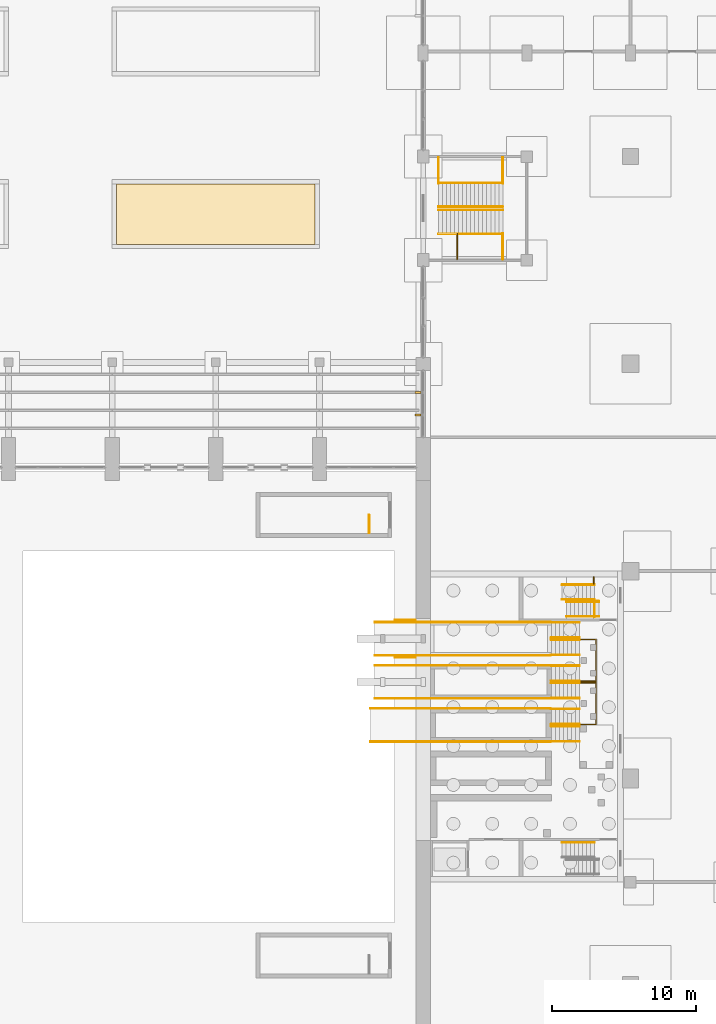
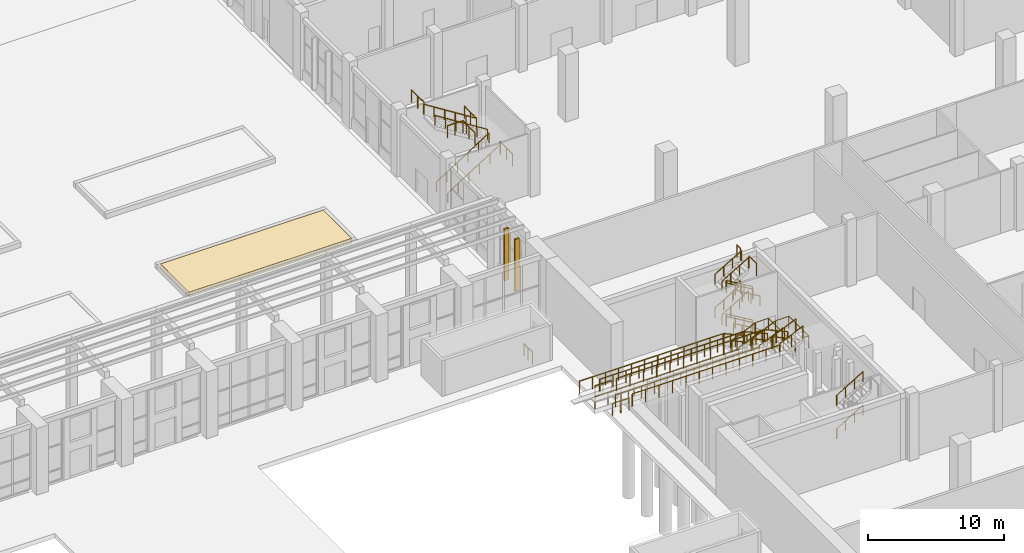
# One storey, part 67 of 70: 46 railings, 4 coverings.
"""IFC4 building model written with IfcOpenShell, lengths in metres."""

from ifc_helpers import new_model, si_unit, direction, frame, frame_2d, origin, origin_2d, place, context, subcontext, project, spatial, polyline, rectangle, circle, outline, extrude, material, layer, layer_set, type_object, element, save


model = new_model("IFC4")

# Units and contexts
model_context = context("Model", 3, precision=1e-05, world=origin(), true_north=direction((0.0, 1.0)))
body_context = subcontext(model_context, "Body", "Model", "MODEL_VIEW")
ifc_project = project(units=[si_unit("LENGTHUNIT", "METRE"), si_unit("AREAUNIT", "SQUARE_METRE"), si_unit("VOLUMEUNIT", "CUBIC_METRE"), si_unit("PLANEANGLEUNIT", "RADIAN"), si_unit("MASSUNIT", "GRAM", prefix="KILO")], contexts=[model_context])

# Site, building, storey
site_placement = place(None, origin())
site = spatial("IfcSite", under=ifc_project, at=site_placement, CompositionType="ELEMENT")
building_placement = place(site_placement, origin())
building = spatial("IfcBuilding", under=site, at=building_placement, Name="Vermilion Court Aquatics Centre", CompositionType="ELEMENT")
storey_placement = place(building_placement, origin())
storey = spatial("IfcBuildingStorey", under=building, at=storey_placement, Name="L00", CompositionType="ELEMENT", Elevation=0.0)

# Coverings
ifc_material_1 = material(Name="Planting soil", Category="soil")
ifc_layer_1 = layer(ifc_material_1, 0.39990234375)
ifc_layer_set_1 = layer_set([ifc_layer_1], Name="Court planting bed soil")
covering_type_1 = type_object("IfcCoveringType", Name="Court planting bed soil", PredefinedType="FLOORING", material=ifc_layer_set_1)
covering_1_placement = place(storey_placement, origin())
element("IfcCovering", 1, at=covering_1_placement, inside=storey, type_object=covering_type_1, Name="Court planting bed soil 4", PredefinedType="FLOORING", context=body_context, shape_type="SweptSolid", body=[
    extrude(outline(polyline([(122.699951171875, 80.300048828125), (136.5, 80.300048828125), (136.5, 84.5), (122.699951171875, 84.5), (122.699951171875, 80.300048828125)])), origin(), (0.0, 0.0, 1.0), 0.39990234375),
])
ifc_material_2 = material(Name="Planting turf", Category="soil")
ifc_layer_2 = layer(ifc_material_2, 0.030029296875)
ifc_layer_set_2 = layer_set([ifc_layer_2], Name="Court planting bed turf")
covering_type_2 = type_object("IfcCoveringType", Name="Court planting bed turf", PredefinedType="FLOORING", material=ifc_layer_set_2)
covering_2_placement = place(storey_placement, frame((0.0, 0.0, 0.39990234375)))
element("IfcCovering", 2, at=covering_2_placement, inside=storey, type_object=covering_type_2, Name="Court planting bed turf 4", PredefinedType="FLOORING", context=body_context, shape_type="SweptSolid", body=[
    extrude(outline(polyline([(122.699951171875, 80.300048828125), (136.5, 80.300048828125), (136.5, 84.5), (122.699951171875, 84.5), (122.699951171875, 80.300048828125)])), origin(), (0.0, 0.0, 1.0), 0.030029296875),
])

# Railings
ifc_material_3 = material(Name="Steel ASTM A992 Grade 50", Category="steel")
railing_type_1 = type_object("IfcRailingType", Name="Diving Tower stair guard 1100", PredefinedType="GUARDRAIL", material=ifc_material_3)
for number, where, name in (
    (3, (156.199951171875, 55.5048828125, 0.166748046875), "Stair 2 guard well L00"),
    (4, (156.199951171875, 55.5048828125, 3.166748046875), "Stair 2 guard well L00"),
):
    element("IfcRailing", number, at=place(storey_placement, frame(where)), inside=storey, type_object=railing_type_1, Name=name, PredefinedType="GUARDRAIL", context=body_context, shape_type="SweptSolid", body=[
        extrude(circle(Radius=0.02392578125, at=origin_2d()), frame((0.0, 0.0, 1.076171875), z_axis=(-0.859305625298, 0.0, 0.511462454469), x_axis=(0.0, -1.0, 0.0)), (0.0, 0.0, 1.0), 2.606689453125),
        extrude(circle(Radius=0.02099609375, at=origin_2d()), origin(), (0.0, 0.0, 1.0), 1.052001953125),
        extrude(circle(Radius=0.02099609375, at=origin_2d()), frame((-0.74658203125, 0.0, 0.4443359375)), (0.0, 0.0, 1.0), 1.052001953125),
        extrude(circle(Radius=0.02099609375, at=origin_2d()), frame((-1.493408203125, 0.0, 0.888916015625)), (0.0, 0.0, 1.0), 1.052001953125),
        extrude(circle(Radius=0.02099609375, at=origin_2d()), frame((-2.239990234375, 0.0, 1.333251953125)), (0.0, 0.0, 1.0), 1.052001953125),
    ])
railing_1_placement = place(storey_placement, frame((155.85009765625, 56.699951171875, 6.0)))
element("IfcRailing", 5, at=railing_1_placement, inside=storey, type_object=railing_type_1, Name="Stair 2 floor edge guard slot L00", PredefinedType="GUARDRAIL", context=body_context, shape_type="SweptSolid", body=[
    extrude(circle(Radius=0.02392578125, at=origin_2d()), frame((0.0, 0.0, 1.076171875), z_axis=(0.0, 1.0, 0.0), x_axis=(-1.0, 0.0, 0.0)), (0.0, 0.0, 1.0), 0.5),
    extrude(circle(Radius=0.02099609375, at=origin_2d()), origin(), (0.0, 0.0, 1.0), 1.052001953125),
    extrude(circle(Radius=0.02099609375, at=origin_2d()), frame((0.0, 0.5, 0.0)), (0.0, 0.0, 1.0), 1.052001953125),
])
railing_2_placement = place(storey_placement, frame((155.89990234375, 55.5, 6.0)))
element("IfcRailing", 6, at=railing_2_placement, inside=storey, type_object=railing_type_1, Name="Stair 2 floor edge guard L00", PredefinedType="GUARDRAIL", context=body_context, shape_type="SweptSolid", body=[
    extrude(circle(Radius=0.02392578125, at=origin_2d()), frame((0.0, 0.0, 1.076171875), z_axis=(0.0, -1.0, 0.0), x_axis=(1.0, 0.0, 0.0)), (0.0, 0.0, 1.0), 1.070068359375),
    extrude(circle(Radius=0.02099609375, at=origin_2d()), origin(), (0.0, 0.0, 1.0), 1.052001953125),
    extrude(circle(Radius=0.02099609375, at=origin_2d()), frame((0.0, -1.070068359375, 0.0)), (0.0, 0.0, 1.0), 1.052001953125),
])
railing_3_placement = place(storey_placement, frame((155.85009765625, 56.699951171875, 3.0)))
element("IfcRailing", 7, at=railing_3_placement, inside=storey, type_object=railing_type_1, Name="Stair 2 guard landing slot 1 L00", PredefinedType="GUARDRAIL", context=body_context, shape_type="SweptSolid", body=[
    extrude(circle(Radius=0.02392578125, at=origin_2d()), frame((0.0, 0.0, 1.076171875), z_axis=(0.0, 1.0, 0.0), x_axis=(-1.0, 0.0, 0.0)), (0.0, 0.0, 1.0), 0.5),
    extrude(circle(Radius=0.02099609375, at=origin_2d()), origin(), (0.0, 0.0, 1.0), 1.052001953125),
    extrude(circle(Radius=0.02099609375, at=origin_2d()), frame((0.0, 0.5, 0.0)), (0.0, 0.0, 1.0), 1.052001953125),
])
ifc_material_4 = material(Name="Steel ASTM A992 Grade 50", Category="steel")
railing_type_2 = type_object("IfcRailingType", Name="Diving Tower stair handrail 900", PredefinedType="HANDRAIL", material=ifc_material_4)
for number, where, name in (
    (8, (153.659912109375, 38.75, 1.666748046875), "Stair 1 handrail wall L00"),
    (9, (153.659912109375, 38.75, 4.666748046875), "Stair 1 handrail wall L00"),
):
    element("IfcRailing", number, at=place(storey_placement, frame(where)), inside=storey, type_object=railing_type_2, Name=name, PredefinedType="HANDRAIL", context=body_context, shape_type="SweptSolid", body=[
        extrude(circle(Radius=0.02392578125, at=origin_2d()), frame((0.0, 0.0, 0.8759765625), z_axis=(0.859305625298, 0.0, 0.511462454469), x_axis=(0.0, 1.0, 0.0)), (0.0, 0.0, 1.0), 2.606689453125),
        extrude(circle(Radius=0.02099609375, at=origin_2d()), origin(), (0.0, 0.0, 1.0), 0.851806640625),
        extrude(circle(Radius=0.02099609375, at=origin_2d()), frame((0.74658203125, 0.0, 0.4443359375)), (0.0, 0.0, 1.0), 0.851806640625),
        extrude(circle(Radius=0.02099609375, at=origin_2d()), frame((1.493408203125, 0.0, 0.888916015625)), (0.0, 0.0, 1.0), 0.851806640625),
        extrude(circle(Radius=0.02099609375, at=origin_2d()), frame((2.239990234375, 0.0, 1.333251953125)), (0.0, 0.0, 1.0), 0.851806640625),
    ])
for number, where, name in (
    (10, (156.199951171875, 54.449951171875, 0.166748046875), "Stair 2 handrail wall L00"),
    (11, (156.199951171875, 55.455078125, 0.166748046875), "Stair 2 handrail well L00"),
):
    element("IfcRailing", number, at=place(storey_placement, frame(where)), inside=storey, type_object=railing_type_2, Name=name, PredefinedType="HANDRAIL", context=body_context, shape_type="SweptSolid", body=[
        extrude(circle(Radius=0.02392578125, at=origin_2d()), frame((0.0, 0.0, 0.8759765625), z_axis=(-0.859305625298, 0.0, 0.511462454469), x_axis=(0.0, -1.0, 0.0)), (0.0, 0.0, 1.0), 2.606689453125),
        extrude(circle(Radius=0.02099609375, at=origin_2d()), origin(), (0.0, 0.0, 1.0), 0.851806640625),
        extrude(circle(Radius=0.02099609375, at=origin_2d()), frame((-0.74658203125, 0.0, 0.4443359375)), (0.0, 0.0, 1.0), 0.851806640625),
        extrude(circle(Radius=0.02099609375, at=origin_2d()), frame((-1.493408203125, 0.0, 0.888916015625)), (0.0, 0.0, 1.0), 0.851806640625),
        extrude(circle(Radius=0.02099609375, at=origin_2d()), frame((-2.239990234375, 0.0, 1.333251953125)), (0.0, 0.0, 1.0), 0.851806640625),
    ])
for number, where, name in (
    (12, (153.659912109375, 56.64990234375, 1.666748046875), "Stair 2 handrail wall L00"),
    (13, (153.659912109375, 55.6201171875, 1.666748046875), "Stair 2 handrail well L00"),
):
    element("IfcRailing", number, at=place(storey_placement, frame(where)), inside=storey, type_object=railing_type_2, Name=name, PredefinedType="HANDRAIL", context=body_context, shape_type="SweptSolid", body=[
        extrude(circle(Radius=0.02392578125, at=origin_2d()), frame((0.0, 0.0, 0.8759765625), z_axis=(0.859305625298, 0.0, 0.511462454469), x_axis=(0.0, 1.0, 0.0)), (0.0, 0.0, 1.0), 2.606689453125),
        extrude(circle(Radius=0.02099609375, at=origin_2d()), origin(), (0.0, 0.0, 1.0), 0.851806640625),
        extrude(circle(Radius=0.02099609375, at=origin_2d()), frame((0.74658203125, 0.0, 0.4443359375)), (0.0, 0.0, 1.0), 0.851806640625),
        extrude(circle(Radius=0.02099609375, at=origin_2d()), frame((1.493408203125, 0.0, 0.888916015625)), (0.0, 0.0, 1.0), 0.851806640625),
        extrude(circle(Radius=0.02099609375, at=origin_2d()), frame((2.239990234375, 0.0, 1.333251953125)), (0.0, 0.0, 1.0), 0.851806640625),
    ])
for number, where, name in (
    (14, (156.199951171875, 54.449951171875, 3.166748046875), "Stair 2 handrail wall L00"),
    (15, (156.199951171875, 55.455078125, 3.166748046875), "Stair 2 handrail well L00"),
):
    element("IfcRailing", number, at=place(storey_placement, frame(where)), inside=storey, type_object=railing_type_2, Name=name, PredefinedType="HANDRAIL", context=body_context, shape_type="SweptSolid", body=[
        extrude(circle(Radius=0.02392578125, at=origin_2d()), frame((0.0, 0.0, 0.8759765625), z_axis=(-0.859305625298, 0.0, 0.511462454469), x_axis=(0.0, -1.0, 0.0)), (0.0, 0.0, 1.0), 2.606689453125),
        extrude(circle(Radius=0.02099609375, at=origin_2d()), origin(), (0.0, 0.0, 1.0), 0.851806640625),
        extrude(circle(Radius=0.02099609375, at=origin_2d()), frame((-0.74658203125, 0.0, 0.4443359375)), (0.0, 0.0, 1.0), 0.851806640625),
        extrude(circle(Radius=0.02099609375, at=origin_2d()), frame((-1.493408203125, 0.0, 0.888916015625)), (0.0, 0.0, 1.0), 0.851806640625),
        extrude(circle(Radius=0.02099609375, at=origin_2d()), frame((-2.239990234375, 0.0, 1.333251953125)), (0.0, 0.0, 1.0), 0.851806640625),
    ])
for number, where, name in (
    (16, (153.659912109375, 56.64990234375, 4.666748046875), "Stair 2 handrail wall L00"),
    (17, (153.659912109375, 55.6201171875, 4.666748046875), "Stair 2 handrail well L00"),
):
    element("IfcRailing", number, at=place(storey_placement, frame(where)), inside=storey, type_object=railing_type_2, Name=name, PredefinedType="HANDRAIL", context=body_context, shape_type="SweptSolid", body=[
        extrude(circle(Radius=0.02392578125, at=origin_2d()), frame((0.0, 0.0, 0.8759765625), z_axis=(0.859305625298, 0.0, 0.511462454469), x_axis=(0.0, 1.0, 0.0)), (0.0, 0.0, 1.0), 2.606689453125),
        extrude(circle(Radius=0.02099609375, at=origin_2d()), origin(), (0.0, 0.0, 1.0), 0.851806640625),
        extrude(circle(Radius=0.02099609375, at=origin_2d()), frame((0.74658203125, 0.0, 0.4443359375)), (0.0, 0.0, 1.0), 0.851806640625),
        extrude(circle(Radius=0.02099609375, at=origin_2d()), frame((1.493408203125, 0.0, 0.888916015625)), (0.0, 0.0, 1.0), 0.851806640625),
        extrude(circle(Radius=0.02099609375, at=origin_2d()), frame((2.239990234375, 0.0, 1.333251953125)), (0.0, 0.0, 1.0), 0.851806640625),
    ])
ifc_material_5 = material(Name="Steel ASTM A992 Grade 50", Category="steel")
railing_type_3 = type_object("IfcRailingType", Name="Hall guard 1100", PredefinedType="GUARDRAIL", material=ifc_material_5)
railing_4_placement = place(storey_placement, frame((140.25, 60.25, 0.0)))
element("IfcRailing", 18, at=railing_4_placement, inside=storey, type_object=railing_type_3, Name="Stair well guard 6", PredefinedType="GUARDRAIL", context=body_context, shape_type="SweptSolid", body=[
    extrude(circle(Radius=0.02392578125, at=origin_2d()), frame((0.0, 0.0, 1.076171875), z_axis=(0.0, 1.0, 0.0), x_axis=(-1.0, 0.0, 0.0)), (0.0, 0.0, 1.0), 1.25),
    extrude(circle(Radius=0.02099609375, at=origin_2d()), origin(), (0.0, 0.0, 1.0), 1.052001953125),
    extrude(circle(Radius=0.02099609375, at=origin_2d()), frame((0.0, 0.625, 0.0)), (0.0, 0.0, 1.0), 1.052001953125),
    extrude(circle(Radius=0.02099609375, at=origin_2d()), frame((0.0, 1.25, 0.0)), (0.0, 0.0, 1.0), 1.052001953125),
])
for number, where, name in (
    (19, (140.64990234375, 51.75, 1.0), "Diving platform 1 m guard"),
    (20, (140.64990234375, 54.050048828125, 1.0), "Diving platform 1 m guard"),
    (21, (140.64990234375, 48.75, 3.0), "Diving platform 3 m guard"),
    (22, (140.64990234375, 51.050048828125, 3.0), "Diving platform 3 m guard"),
):
    element("IfcRailing", number, at=place(storey_placement, frame(where)), inside=storey, type_object=railing_type_3, Name=name, PredefinedType="GUARDRAIL", context=body_context, shape_type="SweptSolid", body=[
        extrude(circle(Radius=0.02392578125, at=origin_2d()), frame((0.0, 0.0, 1.076171875), z_axis=(1.0, 0.0, 0.0), x_axis=(0.0, 1.0, 0.0)), (0.0, 0.0, 1.0), 12.2001953125),
        extrude(circle(Radius=0.02099609375, at=origin_2d()), origin(), (0.0, 0.0, 1.0), 1.052001953125),
        extrude(circle(Radius=0.02099609375, at=origin_2d()), frame((1.109130859375, 0.0, 0.0)), (0.0, 0.0, 1.0), 1.052001953125),
        extrude(circle(Radius=0.02099609375, at=origin_2d()), frame((2.21826171875, 0.0, 0.0)), (0.0, 0.0, 1.0), 1.052001953125),
        extrude(circle(Radius=0.02099609375, at=origin_2d()), frame((3.327392578125, 0.0, 0.0)), (0.0, 0.0, 1.0), 1.052001953125),
        extrude(circle(Radius=0.02099609375, at=origin_2d()), frame((4.4365234375, 0.0, 0.0)), (0.0, 0.0, 1.0), 1.052001953125),
        extrude(circle(Radius=0.02099609375, at=origin_2d()), frame((5.545654296875, 0.0, 0.0)), (0.0, 0.0, 1.0), 1.052001953125),
        extrude(circle(Radius=0.02099609375, at=origin_2d()), frame((6.654541015625, 0.0, 0.0)), (0.0, 0.0, 1.0), 1.052001953125),
        extrude(circle(Radius=0.02099609375, at=origin_2d()), frame((7.763671875, 0.0, 0.0)), (0.0, 0.0, 1.0), 1.052001953125),
        extrude(circle(Radius=0.02099609375, at=origin_2d()), frame((8.872802734375, 0.0, 0.0)), (0.0, 0.0, 1.0), 1.052001953125),
        extrude(circle(Radius=0.02099609375, at=origin_2d()), frame((9.98193359375, 0.0, 0.0)), (0.0, 0.0, 1.0), 1.052001953125),
        extrude(circle(Radius=0.02099609375, at=origin_2d()), frame((11.091064453125, 0.0, 0.0)), (0.0, 0.0, 1.0), 1.052001953125),
        extrude(circle(Radius=0.02099609375, at=origin_2d()), frame((12.2001953125, 0.0, 0.0)), (0.0, 0.0, 1.0), 1.052001953125),
    ])
for number, where, name in (
    (23, (140.35009765625, 45.75, 5.0), "Diving platform 5 m guard"),
    (24, (140.35009765625, 48.050048828125, 5.0), "Diving platform 5 m guard"),
):
    element("IfcRailing", number, at=place(storey_placement, frame(where)), inside=storey, type_object=railing_type_3, Name=name, PredefinedType="GUARDRAIL", context=body_context, shape_type="SweptSolid", body=[
        extrude(circle(Radius=0.02392578125, at=origin_2d()), frame((0.0, 0.0, 1.076171875), z_axis=(1.0, 0.0, 0.0), x_axis=(0.0, 1.0, 0.0)), (0.0, 0.0, 1.0), 12.5),
        extrude(circle(Radius=0.02099609375, at=origin_2d()), origin(), (0.0, 0.0, 1.0), 1.052001953125),
        extrude(circle(Radius=0.02099609375, at=origin_2d()), frame((1.136474609375, 0.0, 0.0)), (0.0, 0.0, 1.0), 1.052001953125),
        extrude(circle(Radius=0.02099609375, at=origin_2d()), frame((2.272705078125, 0.0, 0.0)), (0.0, 0.0, 1.0), 1.052001953125),
        extrude(circle(Radius=0.02099609375, at=origin_2d()), frame((3.4091796875, 0.0, 0.0)), (0.0, 0.0, 1.0), 1.052001953125),
        extrude(circle(Radius=0.02099609375, at=origin_2d()), frame((4.54541015625, 0.0, 0.0)), (0.0, 0.0, 1.0), 1.052001953125),
        extrude(circle(Radius=0.02099609375, at=origin_2d()), frame((5.681884765625, 0.0, 0.0)), (0.0, 0.0, 1.0), 1.052001953125),
        extrude(circle(Radius=0.02099609375, at=origin_2d()), frame((6.818115234375, 0.0, 0.0)), (0.0, 0.0, 1.0), 1.052001953125),
        extrude(circle(Radius=0.02099609375, at=origin_2d()), frame((7.95458984375, 0.0, 0.0)), (0.0, 0.0, 1.0), 1.052001953125),
        extrude(circle(Radius=0.02099609375, at=origin_2d()), frame((9.0908203125, 0.0, 0.0)), (0.0, 0.0, 1.0), 1.052001953125),
        extrude(circle(Radius=0.02099609375, at=origin_2d()), frame((10.227294921875, 0.0, 0.0)), (0.0, 0.0, 1.0), 1.052001953125),
        extrude(circle(Radius=0.02099609375, at=origin_2d()), frame((11.363525390625, 0.0, 0.0)), (0.0, 0.0, 1.0), 1.052001953125),
        extrude(circle(Radius=0.02099609375, at=origin_2d()), frame((12.5, 0.0, 0.0)), (0.0, 0.0, 1.0), 1.052001953125),
    ])
for number, where, name in (
    (25, (142.050048828125, 51.60009765625, 0.0), "Deck strip guard under the 1 m platform"),
    (26, (142.050048828125, 54.199951171875, 0.0), "Deck strip guard under the 1 m platform"),
):
    element("IfcRailing", number, at=place(storey_placement, frame(where)), inside=storey, type_object=railing_type_3, Name=name, PredefinedType="GUARDRAIL", context=body_context, shape_type="SweptSolid", body=[
        extrude(circle(Radius=0.02392578125, at=origin_2d()), frame((0.0, 0.0, 1.076171875), z_axis=(1.0, 0.0, 0.0), x_axis=(0.0, 1.0, 0.0)), (0.0, 0.0, 1.0), 1.39990234375),
        extrude(circle(Radius=0.02099609375, at=origin_2d()), origin(), (0.0, 0.0, 1.0), 1.052001953125),
        extrude(circle(Radius=0.02099609375, at=origin_2d()), frame((0.699951171875, 0.0, 0.0)), (0.0, 0.0, 1.0), 1.052001953125),
        extrude(circle(Radius=0.02099609375, at=origin_2d()), frame((1.39990234375, 0.0, 0.0)), (0.0, 0.0, 1.0), 1.052001953125),
    ])
for number, where, name in (
    (27, (154.860107421875, 54.02490234375, 0.125), "Diving tower stair A guard"),
    (28, (154.860107421875, 52.97509765625, 0.125), "Diving tower stair A guard"),
):
    element("IfcRailing", number, at=place(storey_placement, frame(where)), inside=storey, type_object=railing_type_3, Name=name, PredefinedType="GUARDRAIL", context=body_context, shape_type="SweptSolid", body=[
        extrude(circle(Radius=0.02392578125, at=origin_2d()), frame((0.0, 0.0, 1.076171875), z_axis=(-0.913153757648, 0.0, 0.407615278043), x_axis=(0.0, -1.0, 0.0)), (0.0, 0.0, 1.0), 2.146728515625),
        extrude(circle(Radius=0.02099609375, at=origin_2d()), origin(), (0.0, 0.0, 1.0), 1.052001953125),
        extrude(circle(Radius=0.02099609375, at=origin_2d()), frame((-0.97998046875, 0.0, 0.4375)), (0.0, 0.0, 1.0), 1.052001953125),
        extrude(circle(Radius=0.02099609375, at=origin_2d()), frame((-1.960205078125, 0.0, 0.875)), (0.0, 0.0, 1.0), 1.052001953125),
    ])
for number, where, name in (
    (29, (152.89990234375, 52.824951171875, 1.125), "Diving tower stair A guard"),
    (30, (152.89990234375, 51.77490234375, 1.125), "Diving tower stair A guard"),
):
    element("IfcRailing", number, at=place(storey_placement, frame(where)), inside=storey, type_object=railing_type_3, Name=name, PredefinedType="GUARDRAIL", context=body_context, shape_type="SweptSolid", body=[
        extrude(circle(Radius=0.02392578125, at=origin_2d()), frame((0.0, 0.0, 1.076171875), z_axis=(0.913153757648, 0.0, 0.407615278043), x_axis=(0.0, 1.0, 0.0)), (0.0, 0.0, 1.0), 2.146728515625),
        extrude(circle(Radius=0.02099609375, at=origin_2d()), origin(), (0.0, 0.0, 1.0), 1.052001953125),
        extrude(circle(Radius=0.02099609375, at=origin_2d()), frame((0.97998046875, 0.0, 0.4375)), (0.0, 0.0, 1.0), 1.052001953125),
        extrude(circle(Radius=0.02099609375, at=origin_2d()), frame((1.960205078125, 0.0, 0.875)), (0.0, 0.0, 1.0), 1.052001953125),
    ])
for number, where, name in (
    (31, (154.860107421875, 51.02490234375, 2.125), "Diving tower stair A guard"),
    (32, (154.860107421875, 49.97509765625, 2.125), "Diving tower stair A guard"),
):
    element("IfcRailing", number, at=place(storey_placement, frame(where)), inside=storey, type_object=railing_type_3, Name=name, PredefinedType="GUARDRAIL", context=body_context, shape_type="SweptSolid", body=[
        extrude(circle(Radius=0.02392578125, at=origin_2d()), frame((0.0, 0.0, 1.076171875), z_axis=(-0.913153757648, 0.0, 0.407615278043), x_axis=(0.0, -1.0, 0.0)), (0.0, 0.0, 1.0), 2.146728515625),
        extrude(circle(Radius=0.02099609375, at=origin_2d()), origin(), (0.0, 0.0, 1.0), 1.052001953125),
        extrude(circle(Radius=0.02099609375, at=origin_2d()), frame((-0.97998046875, 0.0, 0.4375)), (0.0, 0.0, 1.0), 1.052001953125),
        extrude(circle(Radius=0.02099609375, at=origin_2d()), frame((-1.960205078125, 0.0, 0.875)), (0.0, 0.0, 1.0), 1.052001953125),
    ])
for number, where, name in (
    (33, (152.89990234375, 49.824951171875, 3.125), "Diving tower stair A guard"),
    (34, (152.89990234375, 48.77490234375, 3.125), "Diving tower stair A guard"),
):
    element("IfcRailing", number, at=place(storey_placement, frame(where)), inside=storey, type_object=railing_type_3, Name=name, PredefinedType="GUARDRAIL", context=body_context, shape_type="SweptSolid", body=[
        extrude(circle(Radius=0.02392578125, at=origin_2d()), frame((0.0, 0.0, 1.076171875), z_axis=(0.913153757648, 0.0, 0.407615278043), x_axis=(0.0, 1.0, 0.0)), (0.0, 0.0, 1.0), 2.146728515625),
        extrude(circle(Radius=0.02099609375, at=origin_2d()), origin(), (0.0, 0.0, 1.0), 1.052001953125),
        extrude(circle(Radius=0.02099609375, at=origin_2d()), frame((0.97998046875, 0.0, 0.4375)), (0.0, 0.0, 1.0), 1.052001953125),
        extrude(circle(Radius=0.02099609375, at=origin_2d()), frame((1.960205078125, 0.0, 0.875)), (0.0, 0.0, 1.0), 1.052001953125),
    ])
for number, where, name in (
    (35, (154.860107421875, 48.02490234375, 4.125), "Diving tower stair A guard"),
    (36, (154.860107421875, 46.97509765625, 4.125), "Diving tower stair A guard"),
):
    element("IfcRailing", number, at=place(storey_placement, frame(where)), inside=storey, type_object=railing_type_3, Name=name, PredefinedType="GUARDRAIL", context=body_context, shape_type="SweptSolid", body=[
        extrude(circle(Radius=0.02392578125, at=origin_2d()), frame((0.0, 0.0, 1.076171875), z_axis=(-0.913153757648, 0.0, 0.407615278043), x_axis=(0.0, -1.0, 0.0)), (0.0, 0.0, 1.0), 2.146728515625),
        extrude(circle(Radius=0.02099609375, at=origin_2d()), origin(), (0.0, 0.0, 1.0), 1.052001953125),
        extrude(circle(Radius=0.02099609375, at=origin_2d()), frame((-0.97998046875, 0.0, 0.4375)), (0.0, 0.0, 1.0), 1.052001953125),
        extrude(circle(Radius=0.02099609375, at=origin_2d()), frame((-1.960205078125, 0.0, 0.875)), (0.0, 0.0, 1.0), 1.052001953125),
    ])
for number, where, name in (
    (37, (152.89990234375, 46.824951171875, 5.125), "Diving tower stair A guard"),
    (38, (152.89990234375, 45.77490234375, 5.125), "Diving tower stair A guard"),
):
    element("IfcRailing", number, at=place(storey_placement, frame(where)), inside=storey, type_object=railing_type_3, Name=name, PredefinedType="GUARDRAIL", context=body_context, shape_type="SweptSolid", body=[
        extrude(circle(Radius=0.02392578125, at=origin_2d()), frame((0.0, 0.0, 1.076171875), z_axis=(0.913153757648, 0.0, 0.407615278043), x_axis=(0.0, 1.0, 0.0)), (0.0, 0.0, 1.0), 2.146728515625),
        extrude(circle(Radius=0.02099609375, at=origin_2d()), origin(), (0.0, 0.0, 1.0), 1.052001953125),
        extrude(circle(Radius=0.02099609375, at=origin_2d()), frame((0.97998046875, 0.0, 0.4375)), (0.0, 0.0, 1.0), 1.052001953125),
        extrude(circle(Radius=0.02099609375, at=origin_2d()), frame((1.960205078125, 0.0, 0.875)), (0.0, 0.0, 1.0), 1.052001953125),
    ])
for number, where, name in (
    (39, (154.909912109375, 49.949951171875, 2.0), "Diving tower landing guard A.1"),
    (40, (154.909912109375, 46.949951171875, 4.0), "Diving tower landing guard A.2"),
):
    element("IfcRailing", number, at=place(storey_placement, frame(where)), inside=storey, type_object=railing_type_3, Name=name, PredefinedType="GUARDRAIL", context=body_context, shape_type="SweptSolid", body=[
        extrude(circle(Radius=0.02392578125, at=origin_2d()), frame((0.0, 0.0, 1.076171875), z_axis=(1.0, 0.0, 0.0), x_axis=(0.0, 1.0, 0.0)), (0.0, 0.0, 1.0), 1.10009765625),
        extrude(circle(Radius=0.02392578125, at=origin_2d()), frame((1.10009765625, 0.0, 1.076171875), z_axis=(0.0, 1.0, 0.0), x_axis=(-1.0, 0.0, 0.0)), (0.0, 0.0, 1.0), 2.900146484375),
        extrude(circle(Radius=0.02392578125, at=origin_2d()), frame((1.10009765625, 2.900146484375, 1.076171875), z_axis=(-1.0, 0.0, 0.0), x_axis=(0.0, -1.0, 0.0)), (0.0, 0.0, 1.0), 1.10009765625),
        extrude(circle(Radius=0.02099609375, at=origin_2d()), origin(), (0.0, 0.0, 1.0), 1.052001953125),
        extrude(circle(Radius=0.02099609375, at=origin_2d()), frame((1.10009765625, 0.0, 0.0)), (0.0, 0.0, 1.0), 1.052001953125),
        extrude(circle(Radius=0.02099609375, at=origin_2d()), frame((1.10009765625, 0.966796875, 0.0)), (0.0, 0.0, 1.0), 1.052001953125),
        extrude(circle(Radius=0.02099609375, at=origin_2d()), frame((1.10009765625, 1.933349609375, 0.0)), (0.0, 0.0, 1.0), 1.052001953125),
        extrude(circle(Radius=0.02099609375, at=origin_2d()), frame((1.10009765625, 2.900146484375, 0.0)), (0.0, 0.0, 1.0), 1.052001953125),
        extrude(circle(Radius=0.02099609375, at=origin_2d()), frame((0.0, 2.900146484375, 0.0)), (0.0, 0.0, 1.0), 1.052001953125),
    ])
ifc_material_6 = material(Name="Steel ASTM A992 Grade 50", Category="steel")
railing_type_4 = type_object("IfcRailingType", Name="Podium stair guard 1100", PredefinedType="GUARDRAIL", material=ifc_material_6)
railing_5_placement = place(storey_placement, frame((149.534423828125, 79.262451171875, 3.0)))
element("IfcRailing", 41, at=railing_5_placement, inside=storey, type_object=railing_type_4, Name="Stair guard P3", PredefinedType="GUARDRAIL", context=body_context, shape_type="SweptSolid", body=[
    extrude(circle(Radius=0.02392578125, at=origin_2d()), frame((0.0, 0.0, 1.076171875), z_axis=(0.0, 1.0, 0.0), x_axis=(-1.0, 0.0, 0.0)), (0.0, 0.0, 1.0), 1.797607421875),
    extrude(circle(Radius=0.02099609375, at=origin_2d()), origin(), (0.0, 0.0, 1.0), 1.052001953125),
    extrude(circle(Radius=0.02099609375, at=origin_2d()), frame((0.0, 0.89892578125, 0.0)), (0.0, 0.0, 1.0), 1.052001953125),
    extrude(circle(Radius=0.02099609375, at=origin_2d()), frame((0.0, 1.797607421875, 0.0)), (0.0, 0.0, 1.0), 1.052001953125),
])
railing_6_placement = place(storey_placement, frame((146.362548828125, 79.262451171875, 6.0)))
element("IfcRailing", 42, at=railing_6_placement, inside=storey, type_object=railing_type_4, Name="Stair guard P3", PredefinedType="GUARDRAIL", context=body_context, shape_type="SweptSolid", body=[
    extrude(circle(Radius=0.02392578125, at=origin_2d()), frame((0.0, 0.0, 1.076171875), z_axis=(0.0, 1.0, 0.0), x_axis=(-1.0, 0.0, 0.0)), (0.0, 0.0, 1.0), 1.797607421875),
    extrude(circle(Radius=0.02392578125, at=origin_2d()), frame((0.0, 1.797607421875, 1.076171875), z_axis=(-1.0, 0.0, 0.0), x_axis=(0.0, -1.0, 0.0)), (0.0, 0.0, 1.0), 1.300048828125),
    extrude(circle(Radius=0.02099609375, at=origin_2d()), origin(), (0.0, 0.0, 1.0), 1.052001953125),
    extrude(circle(Radius=0.02099609375, at=origin_2d()), frame((0.0, 0.89892578125, 0.0)), (0.0, 0.0, 1.0), 1.052001953125),
    extrude(circle(Radius=0.02099609375, at=origin_2d()), frame((0.0, 1.797607421875, 0.0)), (0.0, 0.0, 1.0), 1.052001953125),
    extrude(circle(Radius=0.02099609375, at=origin_2d()), frame((-0.64990234375, 1.797607421875, 0.0)), (0.0, 0.0, 1.0), 1.052001953125),
    extrude(circle(Radius=0.02099609375, at=origin_2d()), frame((-1.300048828125, 1.797607421875, 0.0)), (0.0, 0.0, 1.0), 1.052001953125),
])
for number, where, name in (
    (43, (149.534423828125, 86.33740234375, 3.0), "Stair guard P3"),
    (44, (145.0625, 86.33740234375, 6.0), "Stair guard P3"),
):
    element("IfcRailing", number, at=place(storey_placement, frame(where)), inside=storey, type_object=railing_type_4, Name=name, PredefinedType="GUARDRAIL", context=body_context, shape_type="SweptSolid", body=[
        extrude(circle(Radius=0.02392578125, at=origin_2d()), frame((0.0, 0.0, 1.076171875), z_axis=(0.0, -1.0, 0.0), x_axis=(1.0, 0.0, 0.0)), (0.0, 0.0, 1.0), 1.79736328125),
        extrude(circle(Radius=0.02099609375, at=origin_2d()), origin(), (0.0, 0.0, 1.0), 1.052001953125),
        extrude(circle(Radius=0.02099609375, at=origin_2d()), frame((0.0, -0.898681640625, 0.0)), (0.0, 0.0, 1.0), 1.052001953125),
        extrude(circle(Radius=0.02099609375, at=origin_2d()), frame((0.0, -1.79736328125, 0.0)), (0.0, 0.0, 1.0), 1.052001953125),
    ])
ifc_material_7 = material(Name="Steel ASTM A992 Grade 50", Category="steel")
railing_type_5 = type_object("IfcRailingType", Name="Podium stair handrail 900", PredefinedType="HANDRAIL", material=ifc_material_7)
for number, where, name in (
    (45, (145.0625, 81.030029296875, 0.176513671875), "Stair handrail P3"),
    (46, (145.0625, 82.68994140625, 0.176513671875), "Stair handrail P3"),
):
    element("IfcRailing", number, at=place(storey_placement, frame(where)), inside=storey, type_object=railing_type_5, Name=name, PredefinedType="HANDRAIL", context=body_context, shape_type="SweptSolid", body=[
        extrude(circle(Radius=0.02392578125, at=origin_2d()), frame((0.0, 0.0, 0.8759765625), z_axis=(0.845564583299, 0.0, 0.533873145485), x_axis=(0.0, 1.0, 0.0)), (0.0, 0.0, 1.0), 5.28857421875),
        extrude(circle(Radius=0.02099609375, at=origin_2d()), origin(), (0.0, 0.0, 1.0), 0.851806640625),
        extrude(circle(Radius=0.02099609375, at=origin_2d()), frame((0.894287109375, 0.0, 0.564697265625)), (0.0, 0.0, 1.0), 0.851806640625),
        extrude(circle(Radius=0.02099609375, at=origin_2d()), frame((1.788818359375, 0.0, 1.12939453125)), (0.0, 0.0, 1.0), 0.851806640625),
        extrude(circle(Radius=0.02099609375, at=origin_2d()), frame((2.68310546875, 0.0, 1.694091796875)), (0.0, 0.0, 1.0), 0.851806640625),
        extrude(circle(Radius=0.02099609375, at=origin_2d()), frame((3.57763671875, 0.0, 2.2587890625)), (0.0, 0.0, 1.0), 0.851806640625),
        extrude(circle(Radius=0.02099609375, at=origin_2d()), frame((4.471923828125, 0.0, 2.823486328125)), (0.0, 0.0, 1.0), 0.851806640625),
    ])
for number, where, name in (
    (47, (149.534423828125, 82.909912109375, 3.176513671875), "Stair handrail P3"),
    (48, (149.534423828125, 84.570068359375, 3.176513671875), "Stair handrail P3"),
):
    element("IfcRailing", number, at=place(storey_placement, frame(where)), inside=storey, type_object=railing_type_5, Name=name, PredefinedType="HANDRAIL", context=body_context, shape_type="SweptSolid", body=[
        extrude(circle(Radius=0.02392578125, at=origin_2d()), frame((0.0, 0.0, 0.8759765625), z_axis=(-0.845564583299, 0.0, 0.533873145485), x_axis=(0.0, -1.0, 0.0)), (0.0, 0.0, 1.0), 5.28857421875),
        extrude(circle(Radius=0.02099609375, at=origin_2d()), origin(), (0.0, 0.0, 1.0), 0.851806640625),
        extrude(circle(Radius=0.02099609375, at=origin_2d()), frame((-0.894287109375, 0.0, 0.564697265625)), (0.0, 0.0, 1.0), 0.851806640625),
        extrude(circle(Radius=0.02099609375, at=origin_2d()), frame((-1.788818359375, 0.0, 1.12939453125)), (0.0, 0.0, 1.0), 0.851806640625),
        extrude(circle(Radius=0.02099609375, at=origin_2d()), frame((-2.68310546875, 0.0, 1.694091796875)), (0.0, 0.0, 1.0), 0.851806640625),
        extrude(circle(Radius=0.02099609375, at=origin_2d()), frame((-3.57763671875, 0.0, 2.2587890625)), (0.0, 0.0, 1.0), 0.851806640625),
        extrude(circle(Radius=0.02099609375, at=origin_2d()), frame((-4.471923828125, 0.0, 2.823486328125)), (0.0, 0.0, 1.0), 0.851806640625),
    ])

# Coverings
ifc_material_8 = material(Name="Terracotta cladding", Category="masonry")
ifc_layer_3 = layer(ifc_material_8, 0.14990234375)
ifc_layer_set_3 = layer_set([ifc_layer_3], Name="Podium terracotta sunscreen fin 150")
covering_type_3 = type_object("IfcCoveringType", Name="Podium terracotta sunscreen fin 150", PredefinedType="CLADDING", material=ifc_layer_set_3)
for number, where, z_axis, x_axis, name in (
    (49, (143.85009765625, 68.449951171875, 0.449951171875), (0.0, 0.0, 1.0), (-1.0, 0.0, 0.0), "Sunscreen fin L00"),
    (50, (143.85009765625, 70.0, 0.449951171875), (0.0, 0.0, 1.0), (-1.0, 0.0, 0.0), "Sunscreen fin L00"),
):
    element("IfcCovering", number, at=place(storey_placement, frame(where, z_axis=z_axis, x_axis=x_axis)), inside=storey, type_object=covering_type_3, Name=name, PredefinedType="CLADDING", context=body_context, shape_type="SweptSolid", body=[
        extrude(rectangle(XDim=0.400146484375, YDim=0.14990234375, at=frame_2d((0.2001953125, 0.0))), origin(), (0.0, 0.0, 1.0), 4.650146484375),
    ])

save(model, "model.ifc")
